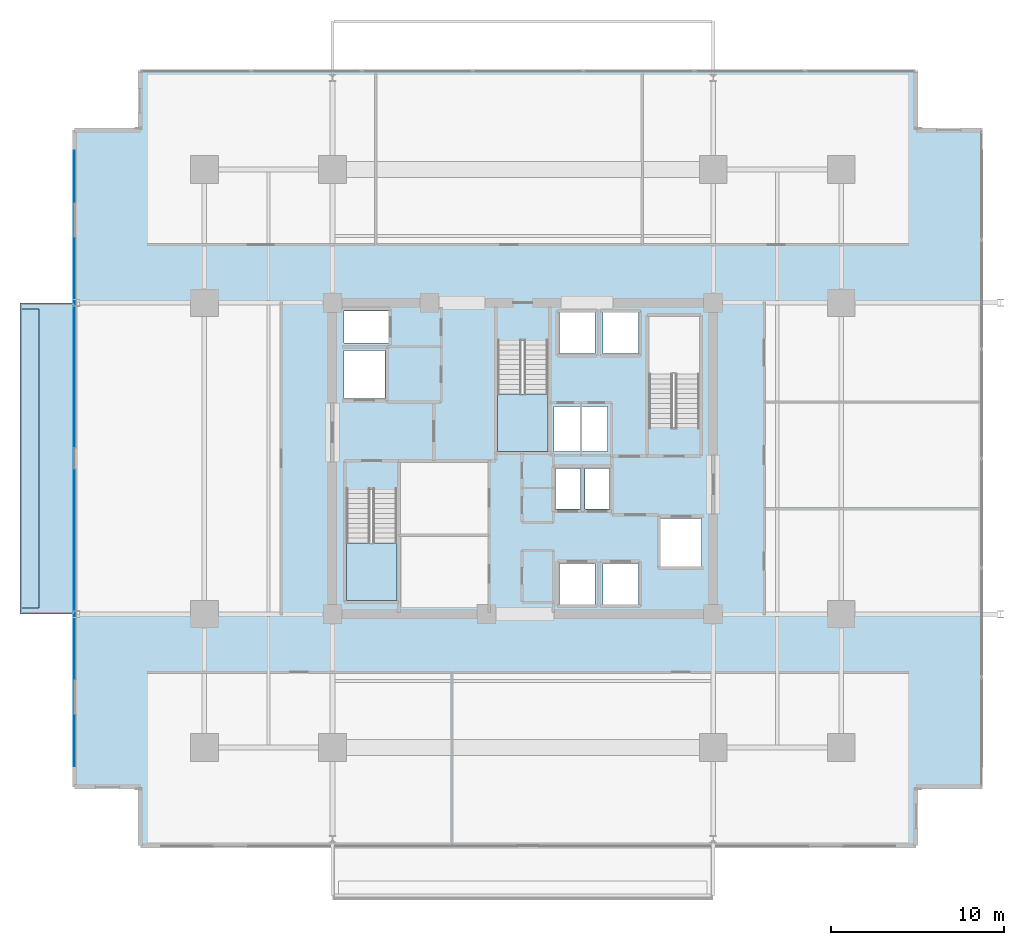
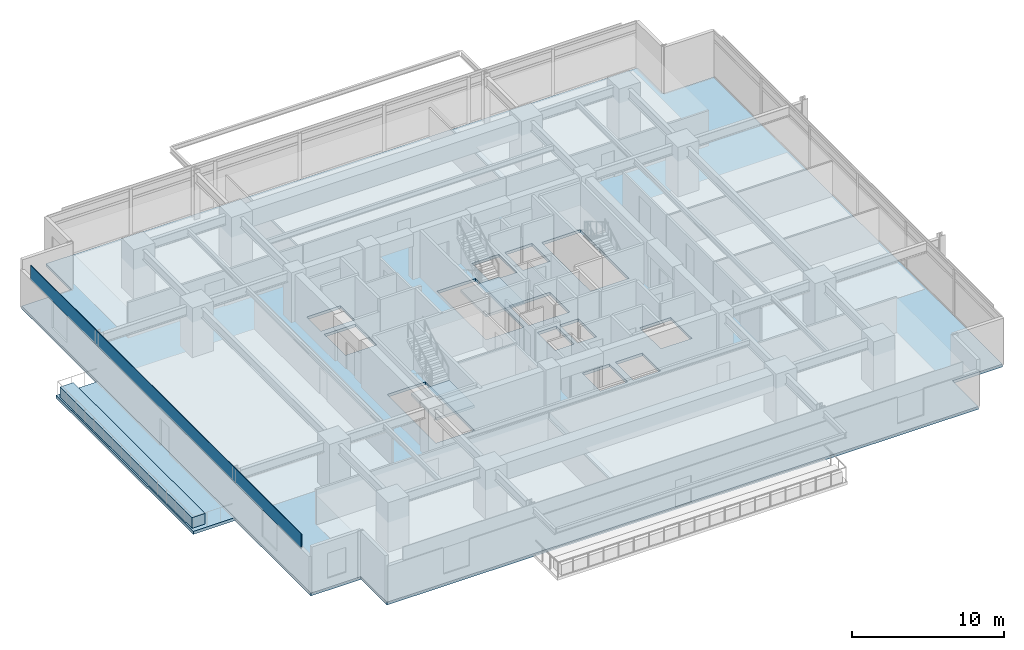
# One storey, part 14 of 24: 5 slabs, 1 plate, 2 elements without a shape of their own.
"""IFC4 building model written with IfcOpenShell, lengths in metres."""

from ifc_helpers import new_model, si_unit, direction, frame, origin, origin_2d, place, context, subcontext, project, spatial, polyline, rectangle, outline, extrude, material, layer, layer_set, type_object, element, aggregate, save


model = new_model("IFC4")

# Units and contexts
model_context = context("Model", 3, precision=1e-05, world=origin(), true_north=direction((0.0, 1.0)))
body_context = subcontext(model_context, "Body", "Model", "MODEL_VIEW")
ifc_project = project(units=[si_unit("LENGTHUNIT", "METRE"), si_unit("AREAUNIT", "SQUARE_METRE"), si_unit("VOLUMEUNIT", "CUBIC_METRE"), si_unit("PLANEANGLEUNIT", "RADIAN"), si_unit("MASSUNIT", "GRAM", prefix="KILO")], contexts=[model_context])

# Site, building, storey
site_placement = place(None, origin())
site = spatial("IfcSite", under=ifc_project, at=site_placement, CompositionType="ELEMENT")
building_placement = place(site_placement, origin())
building = spatial("IfcBuilding", under=site, at=building_placement, Name="Kovane Verandah Tower", CompositionType="ELEMENT")
storey_placement = place(building_placement, frame((0.0, 0.0, 144.39990234375)))
storey = spatial("IfcBuildingStorey", under=building, at=storey_placement, Name="L33", CompositionType="ELEMENT", Elevation=144.39990234375)

# Plate
ifc_material_1 = material(Name="Perforated Pale Champagne Anodised Aluminium Solar Screen", Category="aluminium")
ifc_layer_1 = layer(ifc_material_1, 0.050048828125)
ifc_layer_set_1 = layer_set([ifc_layer_1], Name="Perforated Pale Champagne Anodised Aluminium Solar Screen")
plate_type = type_object("IfcPlateType", Name="PL-SCREEN-50", PredefinedType="USERDEFINED", material=ifc_layer_set_1)
plate_placement = place(storey_placement, frame((14.077880859375, 27.5, 2.875244140625), z_axis=(0.0, 0.0, 1.0), x_axis=(0.0, -1.0, 0.0)))
element("IfcPlate", 1, at=plate_placement, inside=storey, type_object=plate_type, Name="L33 W Perforated Champagne-Gold Solar Screen", ObjectType="SCREEN", PredefinedType="USERDEFINED", context=body_context, shape_type="SweptSolid", body=[
    extrude(rectangle(XDim=35.550048828125, YDim=0.050048828125, at=origin_2d()), origin(), (0.0, 0.0, 1.0), 1.14990234375),
])

# Slab
ifc_material_2 = material(Name="Concrete C45/55", Category="concrete")
ifc_layer_2 = layer(ifc_material_2, 0.239990234375)
ifc_layer_set_2 = layer_set([ifc_layer_2], Name="Concrete C45/55")
slab_type_1 = type_object("IfcSlabType", Name="SL-BALC-240", PredefinedType="FLOOR", material=ifc_layer_set_2)
slab_1_placement = place(storey_placement, frame((0.0, 0.0, -0.239990234375)))
element("IfcSlab", 2, at=slab_1_placement, inside=storey, type_object=slab_type_1, Name="L33 W Planted Verandah Balcony Slab", PredefinedType="FLOOR", context=body_context, shape_type="SweptSolid", body=[
    extrude(outline(polyline([(10.94287109375, 18.5), (14.093017578125, 18.5), (14.093017578125, 36.5), (10.94287109375, 36.5), (10.94287109375, 18.5)])), origin(), (0.0, 0.0, 1.0), 0.239990234375),
])

# Stair, slab
stair_type = type_object("IfcStairType", Name="ST-CORE-1380", PredefinedType="HALF_TURN_STAIR", material=ifc_material_2)
stair_1_placement = place(storey_placement, origin())
stair_1 = element("IfcStair", 3, at=stair_1_placement, inside=storey, type_object=stair_type, Name="L33 Exit Stair ST-01", PredefinedType="HALF_TURN_STAIR")
ifc_layer_3 = layer(ifc_material_2, 0.199951171875)
ifc_layer_set_3 = layer_set([ifc_layer_3], Name="Concrete C45/55")
slab_type_2 = type_object("IfcSlabType", Name="SL-LAND-200", PredefinedType="LANDING", material=ifc_layer_set_3)
slab_2_placement = place(storey_placement, frame((0.0, 0.0, 1.800048828125)))
slab_2 = element("IfcSlab", 4, at=slab_2_placement, type_object=slab_type_2, Name="ST-01 landing 1", PredefinedType="LANDING", context=body_context, shape_type="SweptSolid", body=[
    extrude(outline(polyline([(29.800048828125, 22.614990234375), (29.800048828125, 19.300048828125), (32.719970703125, 19.300048828125), (32.719970703125, 22.614990234375), (29.800048828125, 22.614990234375)])), origin(), (0.0, 0.0, 1.0), 0.199951171875),
])
aggregate(stair_1, [slab_2])

stair_2_placement = place(storey_placement, origin())
stair_2 = element("IfcStair", 5, at=stair_2_placement, inside=storey, type_object=stair_type, Name="L33 Exit Stair ST-03", PredefinedType="HALF_TURN_STAIR")
slab_3_placement = place(storey_placement, frame((0.0, 0.0, 1.800048828125)))
slab_3 = element("IfcSlab", 6, at=slab_3_placement, type_object=slab_type_2, Name="ST-03 landing 1", PredefinedType="LANDING", context=body_context, shape_type="SweptSolid", body=[
    extrude(outline(polyline([(38.5400390625, 31.215087890625), (38.5400390625, 27.89990234375), (41.4599609375, 27.89990234375), (41.4599609375, 31.215087890625), (38.5400390625, 31.215087890625)])), origin(), (0.0, 0.0, 1.0), 0.199951171875),
])
aggregate(stair_2, [slab_3])

# Slabs
ifc_layer_4 = layer(ifc_material_2, 0.22509765625)
ifc_layer_set_4 = layer_set([ifc_layer_4], Name="Concrete C45/55")
slab_type_3 = type_object("IfcSlabType", Name="SL-MID-225", PredefinedType="FLOOR", material=ifc_layer_set_4)
slab_4_placement = place(storey_placement, frame((0.0, 0.0, -0.224853515625)))
element("IfcSlab", 7, at=slab_4_placement, inside=storey, type_object=slab_type_3, Name="L33 Structural Floor Slab", PredefinedType="FLOOR", context=body_context, shape_type="SweptSolid", body=[
    extrude(outline(polyline([(17.892822265625, 5.125), (62.7138671875, 5.125), (62.7138671875, 8.52490234375), (66.513916015625, 8.52490234375), (66.513916015625, 46.47509765625), (62.7138671875, 46.47509765625), (62.7138671875, 49.875), (17.892822265625, 49.875), (17.892822265625, 46.47509765625), (14.093017578125, 46.47509765625), (14.093017578125, 8.52490234375), (17.892822265625, 8.52490234375), (17.892822265625, 5.125)]), holes=[polyline([(29.800048828125, 19.300048828125), (32.719970703125, 19.300048828125), (32.719970703125, 25.705078125), (29.800048828125, 25.705078125), (29.800048828125, 19.300048828125)]), polyline([(47.280029296875, 29.294921875), (50.199951171875, 29.294921875), (50.199951171875, 35.699951171875), (47.280029296875, 35.699951171875), (47.280029296875, 29.294921875)]), polyline([(38.5400390625, 27.89990234375), (41.4599609375, 27.89990234375), (41.4599609375, 34.304931640625), (38.5400390625, 34.304931640625), (38.5400390625, 27.89990234375)]), polyline([(29.669921875, 30.969970703125), (32.030029296875, 30.969970703125), (32.030029296875, 33.72998046875), (29.669921875, 33.72998046875), (29.669921875, 30.969970703125)]), polyline([(47.969970703125, 21.27001953125), (50.330078125, 21.27001953125), (50.330078125, 24.030029296875), (47.969970703125, 24.030029296875), (47.969970703125, 21.27001953125)]), polyline([(29.669921875, 34.169921875), (32.22998046875, 34.169921875), (32.22998046875, 36.030029296875), (29.669921875, 36.030029296875), (29.669921875, 34.169921875)]), polyline([(42.1201171875, 19.070068359375), (44.179931640625, 19.070068359375), (44.179931640625, 21.429931640625), (42.1201171875, 21.429931640625), (42.1201171875, 19.070068359375)]), polyline([(44.6201171875, 19.070068359375), (46.679931640625, 19.070068359375), (46.679931640625, 21.429931640625), (44.6201171875, 21.429931640625), (44.6201171875, 19.070068359375)]), polyline([(41.8798828125, 24.570068359375), (43.320068359375, 24.570068359375), (43.320068359375, 26.929931640625), (41.8798828125, 26.929931640625), (41.8798828125, 24.570068359375)]), polyline([(43.580078125, 24.570068359375), (45.0, 24.570068359375), (45.0, 26.929931640625), (43.580078125, 26.929931640625), (43.580078125, 24.570068359375)]), polyline([(42.1201171875, 33.570068359375), (44.179931640625, 33.570068359375), (44.179931640625, 35.929931640625), (42.1201171875, 35.929931640625), (42.1201171875, 33.570068359375)]), polyline([(44.6201171875, 33.570068359375), (46.679931640625, 33.570068359375), (46.679931640625, 35.929931640625), (44.6201171875, 35.929931640625), (44.6201171875, 33.570068359375)]), polyline([(41.800048828125, 27.89990234375), (44.89990234375, 27.89990234375), (44.89990234375, 30.5), (41.800048828125, 30.5), (41.800048828125, 27.89990234375)])]), origin(), (0.0, 0.0, 1.0), 0.224853515625),
])
ifc_material_3 = material(Name="Architectural Precast Concrete C45/55 Planter Trough", Category="concrete")
ifc_layer_5 = layer(ifc_material_3, 0.219970703125)
ifc_layer_set_5 = layer_set([ifc_layer_5], Name="Architectural Precast Concrete C45/55 Planter Trough")
slab_type_4 = type_object("IfcSlabType", Name="SL-PLANTER-220", PredefinedType="USERDEFINED", material=ifc_layer_set_5)
slab_5_placement = place(storey_placement, origin())
element("IfcSlab", 8, at=slab_5_placement, inside=storey, type_object=slab_type_4, Name="L33 W Structural Tree Planter", ObjectType="PLANTER", PredefinedType="USERDEFINED", context=body_context, shape_type="SweptSolid", body=[
    extrude(outline(polyline([(11.04296875, 18.85009765625), (12.04296875, 18.85009765625), (12.04296875, 36.14990234375), (11.04296875, 36.14990234375), (11.04296875, 18.85009765625)])), origin(), (0.0, 0.0, 1.0), 0.85009765625),
])

save(model, "model.ifc")
